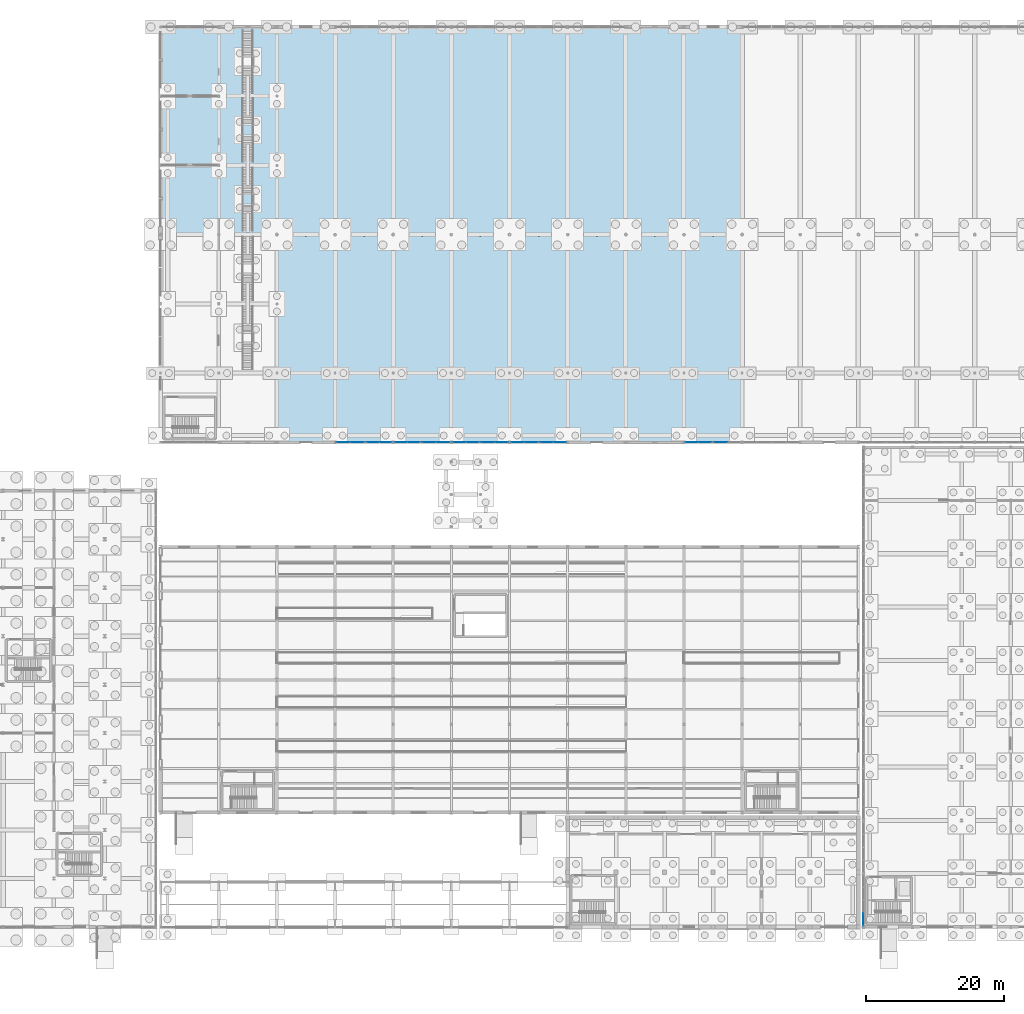
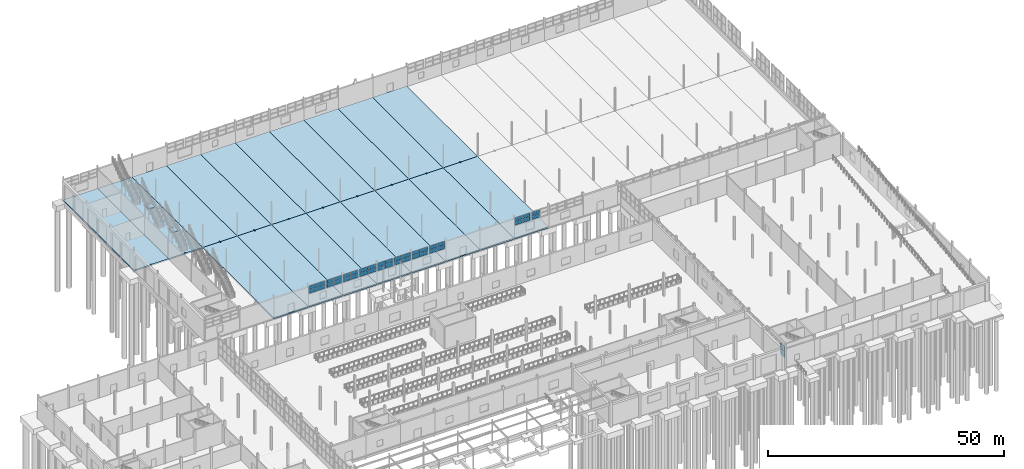
# One storey, part 106 of 139: 40 plates, 20 slabs, 13 elements without a shape of their own.
"""IFC4 building model written with IfcOpenShell, lengths in metres."""

from ifc_helpers import new_model, si_unit, direction, frame, origin, origin_2d, place, context, subcontext, project, spatial, polyline, rectangle, outline, extrude, material, layer, layer_set, type_object, element, aggregate, save


model = new_model("IFC4")

# Units and contexts
model_context = context("Model", 3, precision=1e-05, world=origin(), true_north=direction((0.0, 1.0)))
body_context = subcontext(model_context, "Body", "Model", "MODEL_VIEW")
ifc_project = project(units=[si_unit("LENGTHUNIT", "METRE"), si_unit("AREAUNIT", "SQUARE_METRE"), si_unit("VOLUMEUNIT", "CUBIC_METRE"), si_unit("PLANEANGLEUNIT", "RADIAN"), si_unit("MASSUNIT", "GRAM", prefix="KILO")], contexts=[model_context])

# Site, building, storey
site_placement = place(None, origin())
site = spatial("IfcSite", under=ifc_project, at=site_placement, CompositionType="ELEMENT")
building_placement = place(site_placement, origin())
building = spatial("IfcBuilding", under=site, at=building_placement, Name="Kazenagashi Tramway Depot", CompositionType="ELEMENT")
storey_placement = place(building_placement, origin())
storey = spatial("IfcBuildingStorey", under=building, at=storey_placement, Name="L01", CompositionType="ELEMENT", Elevation=0.0)

# Curtain wall, plates
ifc_material_1 = material(Name="Anodised Aluminium and Low-E Glazing", Category="aluminium")
curtain_wall_type_1 = type_object("IfcCurtainWallType", Name="CW-12", PredefinedType="USERDEFINED", material=ifc_material_1)
curtain_wall_1_placement = place(storey_placement, origin())
curtain_wall_1 = element("IfcCurtainWall", 1, at=curtain_wall_1_placement, inside=storey, type_object=curtain_wall_type_1, Name="Industrial Glazed Screen CW-12 CW-0034", ObjectType="GLAZED SCREEN", PredefinedType="USERDEFINED")
ifc_material_2 = material(Name="Tempered Laminated Low-E Glass", Category="glass")
ifc_layer_1 = layer(ifc_material_2, 0.018)
ifc_layer_set_1 = layer_set([ifc_layer_1], Name="Tempered Laminated Low-E Glass")
plate_type_1 = type_object("IfcPlateType", Name="GL-02", PredefinedType="CURTAIN_PANEL", material=ifc_layer_set_1)
plate_1_placement = place(storey_placement, frame((121.5175, 70.0, 3.26), z_axis=(0.0, 0.0, 1.0), x_axis=(1.0, 0.0, 0.0)))
plate_1 = element("IfcPlate", 2, at=plate_1_placement, type_object=plate_type_1, Name="CW-12 panel 1.1", PredefinedType="CURTAIN_PANEL", context=body_context, shape_type="SweptSolid", body=[
    extrude(rectangle(XDim=1.835, YDim=0.018, at=origin_2d()), origin(), (0.0, 0.0, 1.0), 0.974),
])
plate_2_placement = place(storey_placement, frame((121.5175, 70.0, 4.294), z_axis=(0.0, 0.0, 1.0), x_axis=(1.0, 0.0, 0.0)))
plate_2 = element("IfcPlate", 3, at=plate_2_placement, type_object=plate_type_1, Name="CW-12 panel 1.2", PredefinedType="CURTAIN_PANEL", context=body_context, shape_type="SweptSolid", body=[
    extrude(rectangle(XDim=1.835, YDim=0.018, at=origin_2d()), origin(), (0.0, 0.0, 1.0), 0.893),
])
plate_3_placement = place(storey_placement, frame((123.4125, 70.0, 3.26), z_axis=(0.0, 0.0, 1.0), x_axis=(1.0, 0.0, 0.0)))
plate_3 = element("IfcPlate", 4, at=plate_3_placement, type_object=plate_type_1, Name="CW-12 panel 2.1", PredefinedType="CURTAIN_PANEL", context=body_context, shape_type="SweptSolid", body=[
    extrude(rectangle(XDim=1.835, YDim=0.018, at=origin_2d()), origin(), (0.0, 0.0, 1.0), 0.974),
])
plate_4_placement = place(storey_placement, frame((123.4125, 70.0, 4.294), z_axis=(0.0, 0.0, 1.0), x_axis=(1.0, 0.0, 0.0)))
plate_4 = element("IfcPlate", 5, at=plate_4_placement, type_object=plate_type_1, Name="CW-12 panel 2.2", PredefinedType="CURTAIN_PANEL", context=body_context, shape_type="SweptSolid", body=[
    extrude(rectangle(XDim=1.835, YDim=0.018, at=origin_2d()), origin(), (0.0, 0.0, 1.0), 0.893),
])
aggregate(curtain_wall_1, [plate_1, plate_2, plate_3, plate_4])

curtain_wall_type_2 = type_object("IfcCurtainWallType", Name="CW-13", PredefinedType="USERDEFINED", material=ifc_material_1)
curtain_wall_2_placement = place(storey_placement, origin())
curtain_wall_2 = element("IfcCurtainWall", 6, at=curtain_wall_2_placement, inside=storey, type_object=curtain_wall_type_2, Name="Industrial Glazed Screen CW-13 CW-0035", ObjectType="GLAZED SCREEN", PredefinedType="USERDEFINED")
ifc_layer_2 = layer(ifc_material_2, 0.02)
ifc_layer_set_2 = layer_set([ifc_layer_2], Name="Tempered Laminated Low-E Glass")
plate_type_2 = type_object("IfcPlateType", Name="GL-03", PredefinedType="CURTAIN_PANEL", material=ifc_layer_set_2)
plate_5_placement = place(storey_placement, frame((125.6975, 70.0, 3.26), z_axis=(0.0, 0.0, 1.0), x_axis=(1.0, 0.0, 0.0)))
plate_5 = element("IfcPlate", 7, at=plate_5_placement, type_object=plate_type_2, Name="CW-13 panel 1.1", PredefinedType="CURTAIN_PANEL", context=body_context, shape_type="SweptSolid", body=[
    extrude(rectangle(XDim=1.895, YDim=0.02, at=origin_2d()), origin(), (0.0, 0.0, 1.0), 0.974),
])
plate_6_placement = place(storey_placement, frame((125.6975, 70.0, 4.294), z_axis=(0.0, 0.0, 1.0), x_axis=(1.0, 0.0, 0.0)))
plate_6 = element("IfcPlate", 8, at=plate_6_placement, type_object=plate_type_2, Name="CW-13 panel 1.2", PredefinedType="CURTAIN_PANEL", context=body_context, shape_type="SweptSolid", body=[
    extrude(rectangle(XDim=1.895, YDim=0.02, at=origin_2d()), origin(), (0.0, 0.0, 1.0), 0.893),
])
aggregate(curtain_wall_2, [plate_5, plate_6])

curtain_wall_type_3 = type_object("IfcCurtainWallType", Name="CW-10", PredefinedType="USERDEFINED", material=ifc_material_1)
curtain_wall_3_placement = place(storey_placement, origin())
curtain_wall_3 = element("IfcCurtainWall", 9, at=curtain_wall_3_placement, inside=storey, type_object=curtain_wall_type_3, Name="Industrial Glazed Screen CW-10 CW-0021", ObjectType="GLAZED SCREEN", PredefinedType="USERDEFINED")
ifc_layer_3 = layer(ifc_material_2, 0.024)
ifc_layer_set_3 = layer_set([ifc_layer_3], Name="Tempered Laminated Low-E Glass")
plate_type_3 = type_object("IfcPlateType", Name="GL-05", PredefinedType="CURTAIN_PANEL", material=ifc_layer_set_3)
plate_7_placement = place(storey_placement, frame((71.1775, 70.0, 3.26), z_axis=(0.0, 0.0, 1.0), x_axis=(1.0, 0.0, 0.0)))
plate_7 = element("IfcPlate", 10, at=plate_7_placement, type_object=plate_type_3, Name="CW-10 panel 1.1", PredefinedType="CURTAIN_PANEL", context=body_context, shape_type="SweptSolid", body=[
    extrude(rectangle(XDim=1.955, YDim=0.024, at=origin_2d()), origin(), (0.0, 0.0, 1.0), 0.974),
])
plate_8_placement = place(storey_placement, frame((71.1775, 70.0, 4.294), z_axis=(0.0, 0.0, 1.0), x_axis=(1.0, 0.0, 0.0)))
plate_8 = element("IfcPlate", 11, at=plate_8_placement, type_object=plate_type_3, Name="CW-10 panel 1.2", PredefinedType="CURTAIN_PANEL", context=body_context, shape_type="SweptSolid", body=[
    extrude(rectangle(XDim=1.955, YDim=0.024, at=origin_2d()), origin(), (0.0, 0.0, 1.0), 0.893),
])
plate_9_placement = place(storey_placement, frame((73.1925, 70.0, 3.26), z_axis=(0.0, 0.0, 1.0), x_axis=(1.0, 0.0, 0.0)))
plate_9 = element("IfcPlate", 12, at=plate_9_placement, type_object=plate_type_3, Name="CW-10 panel 2.1", PredefinedType="CURTAIN_PANEL", context=body_context, shape_type="SweptSolid", body=[
    extrude(rectangle(XDim=1.955, YDim=0.024, at=origin_2d()), origin(), (0.0, 0.0, 1.0), 0.974),
])
plate_10_placement = place(storey_placement, frame((73.1925, 70.0, 4.294), z_axis=(0.0, 0.0, 1.0), x_axis=(1.0, 0.0, 0.0)))
plate_10 = element("IfcPlate", 13, at=plate_10_placement, type_object=plate_type_3, Name="CW-10 panel 2.2", PredefinedType="CURTAIN_PANEL", context=body_context, shape_type="SweptSolid", body=[
    extrude(rectangle(XDim=1.955, YDim=0.024, at=origin_2d()), origin(), (0.0, 0.0, 1.0), 0.893),
])
aggregate(curtain_wall_3, [plate_7, plate_8, plate_9, plate_10])

curtain_wall_type_4 = type_object("IfcCurtainWallType", Name="CW-09", PredefinedType="USERDEFINED", material=ifc_material_1)
curtain_wall_4_placement = place(storey_placement, origin())
curtain_wall_4 = element("IfcCurtainWall", 14, at=curtain_wall_4_placement, inside=storey, type_object=curtain_wall_type_4, Name="Industrial Glazed Screen CW-09 CW-0022", ObjectType="GLAZED SCREEN", PredefinedType="USERDEFINED")
ifc_layer_4 = layer(ifc_material_2, 0.026)
ifc_layer_set_4 = layer_set([ifc_layer_4], Name="Tempered Laminated Low-E Glass")
plate_type_4 = type_object("IfcPlateType", Name="GL-06", PredefinedType="CURTAIN_PANEL", material=ifc_layer_set_4)
plate_11_placement = place(storey_placement, frame((75.4775, 70.0, 3.26), z_axis=(0.0, 0.0, 1.0), x_axis=(1.0, 0.0, 0.0)))
plate_11 = element("IfcPlate", 15, at=plate_11_placement, type_object=plate_type_4, Name="CW-09 panel 1.1", PredefinedType="CURTAIN_PANEL", context=body_context, shape_type="SweptSolid", body=[
    extrude(rectangle(XDim=1.775, YDim=0.026, at=origin_2d()), origin(), (0.0, 0.0, 1.0), 0.974),
])
plate_12_placement = place(storey_placement, frame((75.4775, 70.0, 4.294), z_axis=(0.0, 0.0, 1.0), x_axis=(1.0, 0.0, 0.0)))
plate_12 = element("IfcPlate", 16, at=plate_12_placement, type_object=plate_type_4, Name="CW-09 panel 1.2", PredefinedType="CURTAIN_PANEL", context=body_context, shape_type="SweptSolid", body=[
    extrude(rectangle(XDim=1.775, YDim=0.026, at=origin_2d()), origin(), (0.0, 0.0, 1.0), 0.893),
])
plate_13_placement = place(storey_placement, frame((77.3125, 70.0, 3.26), z_axis=(0.0, 0.0, 1.0), x_axis=(1.0, 0.0, 0.0)))
plate_13 = element("IfcPlate", 17, at=plate_13_placement, type_object=plate_type_4, Name="CW-09 panel 2.1", PredefinedType="CURTAIN_PANEL", context=body_context, shape_type="SweptSolid", body=[
    extrude(rectangle(XDim=1.775, YDim=0.026, at=origin_2d()), origin(), (0.0, 0.0, 1.0), 0.974),
])
plate_14_placement = place(storey_placement, frame((77.3125, 70.0, 4.294), z_axis=(0.0, 0.0, 1.0), x_axis=(1.0, 0.0, 0.0)))
plate_14 = element("IfcPlate", 18, at=plate_14_placement, type_object=plate_type_4, Name="CW-09 panel 2.2", PredefinedType="CURTAIN_PANEL", context=body_context, shape_type="SweptSolid", body=[
    extrude(rectangle(XDim=1.775, YDim=0.026, at=origin_2d()), origin(), (0.0, 0.0, 1.0), 0.893),
])
aggregate(curtain_wall_4, [plate_11, plate_12, plate_13, plate_14])

curtain_wall_5_placement = place(storey_placement, origin())
curtain_wall_5 = element("IfcCurtainWall", 19, at=curtain_wall_5_placement, inside=storey, type_object=curtain_wall_type_4, Name="Industrial Glazed Screen CW-09 CW-0024", ObjectType="GLAZED SCREEN", PredefinedType="USERDEFINED")
ifc_layer_5 = layer(ifc_material_2, 0.03)
ifc_layer_set_5 = layer_set([ifc_layer_5], Name="Tempered Laminated Low-E Glass")
plate_type_5 = type_object("IfcPlateType", Name="GL-08", PredefinedType="CURTAIN_PANEL", material=ifc_layer_set_5)
plate_15_placement = place(storey_placement, frame((79.4875, 70.0, 3.26), z_axis=(0.0, 0.0, 1.0), x_axis=(1.0, 0.0, 0.0)))
plate_15 = element("IfcPlate", 20, at=plate_15_placement, type_object=plate_type_5, Name="CW-09 panel 1.1", PredefinedType="CURTAIN_PANEL", context=body_context, shape_type="SweptSolid", body=[
    extrude(rectangle(XDim=1.775, YDim=0.03, at=origin_2d()), origin(), (0.0, 0.0, 1.0), 0.974),
])
plate_16_placement = place(storey_placement, frame((79.4875, 70.0, 4.294), z_axis=(0.0, 0.0, 1.0), x_axis=(1.0, 0.0, 0.0)))
plate_16 = element("IfcPlate", 21, at=plate_16_placement, type_object=plate_type_5, Name="CW-09 panel 1.2", PredefinedType="CURTAIN_PANEL", context=body_context, shape_type="SweptSolid", body=[
    extrude(rectangle(XDim=1.775, YDim=0.03, at=origin_2d()), origin(), (0.0, 0.0, 1.0), 0.893),
])
plate_17_placement = place(storey_placement, frame((81.3225, 70.0, 3.26), z_axis=(0.0, 0.0, 1.0), x_axis=(1.0, 0.0, 0.0)))
plate_17 = element("IfcPlate", 22, at=plate_17_placement, type_object=plate_type_5, Name="CW-09 panel 2.1", PredefinedType="CURTAIN_PANEL", context=body_context, shape_type="SweptSolid", body=[
    extrude(rectangle(XDim=1.775, YDim=0.03, at=origin_2d()), origin(), (0.0, 0.0, 1.0), 0.974),
])
plate_18_placement = place(storey_placement, frame((81.3225, 70.0, 4.294), z_axis=(0.0, 0.0, 1.0), x_axis=(1.0, 0.0, 0.0)))
plate_18 = element("IfcPlate", 23, at=plate_18_placement, type_object=plate_type_5, Name="CW-09 panel 2.2", PredefinedType="CURTAIN_PANEL", context=body_context, shape_type="SweptSolid", body=[
    extrude(rectangle(XDim=1.775, YDim=0.03, at=origin_2d()), origin(), (0.0, 0.0, 1.0), 0.893),
])
aggregate(curtain_wall_5, [plate_15, plate_16, plate_17, plate_18])

curtain_wall_6_placement = place(storey_placement, origin())
curtain_wall_6 = element("IfcCurtainWall", 24, at=curtain_wall_6_placement, inside=storey, type_object=curtain_wall_type_3, Name="Industrial Glazed Screen CW-10 CW-0025", ObjectType="GLAZED SCREEN", PredefinedType="USERDEFINED")
ifc_layer_6 = layer(ifc_material_2, 0.032)
ifc_layer_set_6 = layer_set([ifc_layer_6], Name="Tempered Laminated Low-E Glass")
plate_type_6 = type_object("IfcPlateType", Name="GL-09", PredefinedType="CURTAIN_PANEL", material=ifc_layer_set_6)
plate_19_placement = place(storey_placement, frame((83.6075, 70.0, 3.26), z_axis=(0.0, 0.0, 1.0), x_axis=(1.0, 0.0, 0.0)))
plate_19 = element("IfcPlate", 25, at=plate_19_placement, type_object=plate_type_6, Name="CW-10 panel 1.1", PredefinedType="CURTAIN_PANEL", context=body_context, shape_type="SweptSolid", body=[
    extrude(rectangle(XDim=1.955, YDim=0.032, at=origin_2d()), origin(), (0.0, 0.0, 1.0), 0.974),
])
plate_20_placement = place(storey_placement, frame((83.6075, 70.0, 4.294), z_axis=(0.0, 0.0, 1.0), x_axis=(1.0, 0.0, 0.0)))
plate_20 = element("IfcPlate", 26, at=plate_20_placement, type_object=plate_type_6, Name="CW-10 panel 1.2", PredefinedType="CURTAIN_PANEL", context=body_context, shape_type="SweptSolid", body=[
    extrude(rectangle(XDim=1.955, YDim=0.032, at=origin_2d()), origin(), (0.0, 0.0, 1.0), 0.893),
])
plate_21_placement = place(storey_placement, frame((85.6225, 70.0, 3.26), z_axis=(0.0, 0.0, 1.0), x_axis=(1.0, 0.0, 0.0)))
plate_21 = element("IfcPlate", 27, at=plate_21_placement, type_object=plate_type_6, Name="CW-10 panel 2.1", PredefinedType="CURTAIN_PANEL", context=body_context, shape_type="SweptSolid", body=[
    extrude(rectangle(XDim=1.955, YDim=0.032, at=origin_2d()), origin(), (0.0, 0.0, 1.0), 0.974),
])
plate_22_placement = place(storey_placement, frame((85.6225, 70.0, 4.294), z_axis=(0.0, 0.0, 1.0), x_axis=(1.0, 0.0, 0.0)))
plate_22 = element("IfcPlate", 28, at=plate_22_placement, type_object=plate_type_6, Name="CW-10 panel 2.2", PredefinedType="CURTAIN_PANEL", context=body_context, shape_type="SweptSolid", body=[
    extrude(rectangle(XDim=1.955, YDim=0.032, at=origin_2d()), origin(), (0.0, 0.0, 1.0), 0.893),
])
aggregate(curtain_wall_6, [plate_19, plate_20, plate_21, plate_22])

curtain_wall_7_placement = place(storey_placement, origin())
curtain_wall_7 = element("IfcCurtainWall", 29, at=curtain_wall_7_placement, inside=storey, type_object=curtain_wall_type_1, Name="Industrial Glazed Screen CW-12 CW-0027", ObjectType="GLAZED SCREEN", PredefinedType="USERDEFINED")
ifc_layer_7 = layer(ifc_material_2, 0.036)
ifc_layer_set_7 = layer_set([ifc_layer_7], Name="Tempered Laminated Low-E Glass")
plate_type_7 = type_object("IfcPlateType", Name="GL-11", PredefinedType="CURTAIN_PANEL", material=ifc_layer_set_7)
plate_23_placement = place(storey_placement, frame((87.9175, 70.0, 3.26), z_axis=(0.0, 0.0, 1.0), x_axis=(1.0, 0.0, 0.0)))
plate_23 = element("IfcPlate", 30, at=plate_23_placement, type_object=plate_type_7, Name="CW-12 panel 1.1", PredefinedType="CURTAIN_PANEL", context=body_context, shape_type="SweptSolid", body=[
    extrude(rectangle(XDim=1.835, YDim=0.036, at=origin_2d()), origin(), (0.0, 0.0, 1.0), 0.974),
])
plate_24_placement = place(storey_placement, frame((87.9175, 70.0, 4.294), z_axis=(0.0, 0.0, 1.0), x_axis=(1.0, 0.0, 0.0)))
plate_24 = element("IfcPlate", 31, at=plate_24_placement, type_object=plate_type_7, Name="CW-12 panel 1.2", PredefinedType="CURTAIN_PANEL", context=body_context, shape_type="SweptSolid", body=[
    extrude(rectangle(XDim=1.835, YDim=0.036, at=origin_2d()), origin(), (0.0, 0.0, 1.0), 0.893),
])
plate_25_placement = place(storey_placement, frame((89.8125, 70.0, 3.26), z_axis=(0.0, 0.0, 1.0), x_axis=(1.0, 0.0, 0.0)))
plate_25 = element("IfcPlate", 32, at=plate_25_placement, type_object=plate_type_7, Name="CW-12 panel 2.1", PredefinedType="CURTAIN_PANEL", context=body_context, shape_type="SweptSolid", body=[
    extrude(rectangle(XDim=1.835, YDim=0.036, at=origin_2d()), origin(), (0.0, 0.0, 1.0), 0.974),
])
plate_26_placement = place(storey_placement, frame((89.8125, 70.0, 4.294), z_axis=(0.0, 0.0, 1.0), x_axis=(1.0, 0.0, 0.0)))
plate_26 = element("IfcPlate", 33, at=plate_26_placement, type_object=plate_type_7, Name="CW-12 panel 2.2", PredefinedType="CURTAIN_PANEL", context=body_context, shape_type="SweptSolid", body=[
    extrude(rectangle(XDim=1.835, YDim=0.036, at=origin_2d()), origin(), (0.0, 0.0, 1.0), 0.893),
])
aggregate(curtain_wall_7, [plate_23, plate_24, plate_25, plate_26])

curtain_wall_8_placement = place(storey_placement, origin())
curtain_wall_8 = element("IfcCurtainWall", 34, at=curtain_wall_8_placement, inside=storey, type_object=curtain_wall_type_2, Name="Industrial Glazed Screen CW-13 CW-0028", ObjectType="GLAZED SCREEN", PredefinedType="USERDEFINED")
ifc_layer_8 = layer(ifc_material_2, 0.038)
ifc_layer_set_8 = layer_set([ifc_layer_8], Name="Tempered Laminated Low-E Glass")
plate_type_8 = type_object("IfcPlateType", Name="GL-12", PredefinedType="CURTAIN_PANEL", material=ifc_layer_set_8)
plate_27_placement = place(storey_placement, frame((92.0975, 70.0, 3.26), z_axis=(0.0, 0.0, 1.0), x_axis=(1.0, 0.0, 0.0)))
plate_27 = element("IfcPlate", 35, at=plate_27_placement, type_object=plate_type_8, Name="CW-13 panel 1.1", PredefinedType="CURTAIN_PANEL", context=body_context, shape_type="SweptSolid", body=[
    extrude(rectangle(XDim=1.895, YDim=0.038, at=origin_2d()), origin(), (0.0, 0.0, 1.0), 0.974),
])
plate_28_placement = place(storey_placement, frame((92.0975, 70.0, 4.294), z_axis=(0.0, 0.0, 1.0), x_axis=(1.0, 0.0, 0.0)))
plate_28 = element("IfcPlate", 36, at=plate_28_placement, type_object=plate_type_8, Name="CW-13 panel 1.2", PredefinedType="CURTAIN_PANEL", context=body_context, shape_type="SweptSolid", body=[
    extrude(rectangle(XDim=1.895, YDim=0.038, at=origin_2d()), origin(), (0.0, 0.0, 1.0), 0.893),
])
plate_29_placement = place(storey_placement, frame((94.0525, 70.0, 3.26), z_axis=(0.0, 0.0, 1.0), x_axis=(1.0, 0.0, 0.0)))
plate_29 = element("IfcPlate", 37, at=plate_29_placement, type_object=plate_type_8, Name="CW-13 panel 2.1", PredefinedType="CURTAIN_PANEL", context=body_context, shape_type="SweptSolid", body=[
    extrude(rectangle(XDim=1.895, YDim=0.038, at=origin_2d()), origin(), (0.0, 0.0, 1.0), 0.974),
])
plate_30_placement = place(storey_placement, frame((94.0525, 70.0, 4.294), z_axis=(0.0, 0.0, 1.0), x_axis=(1.0, 0.0, 0.0)))
plate_30 = element("IfcPlate", 38, at=plate_30_placement, type_object=plate_type_8, Name="CW-13 panel 2.2", PredefinedType="CURTAIN_PANEL", context=body_context, shape_type="SweptSolid", body=[
    extrude(rectangle(XDim=1.895, YDim=0.038, at=origin_2d()), origin(), (0.0, 0.0, 1.0), 0.893),
])
aggregate(curtain_wall_8, [plate_27, plate_28, plate_29, plate_30])

curtain_wall_type_5 = type_object("IfcCurtainWallType", Name="CW-30", PredefinedType="USERDEFINED", material=ifc_material_1)
curtain_wall_9_placement = place(storey_placement, origin())
curtain_wall_9 = element("IfcCurtainWall", 39, at=curtain_wall_9_placement, inside=storey, type_object=curtain_wall_type_5, Name="Industrial Glazed Screen CW-30 CW-0157", ObjectType="GLAZED SCREEN", PredefinedType="USERDEFINED")
ifc_layer_9 = layer(ifc_material_2, 0.04)
ifc_layer_set_9 = layer_set([ifc_layer_9], Name="Tempered Laminated Low-E Glass")
plate_type_9 = type_object("IfcPlateType", Name="GL-13", PredefinedType="CURTAIN_PANEL", material=ifc_layer_set_9)
plate_31_placement = place(storey_placement, frame((146.3, 1.0825, 2.26), z_axis=(0.0, 0.0, 1.0), x_axis=(0.0, 1.0, 0.0)))
plate_31 = element("IfcPlate", 40, at=plate_31_placement, type_object=plate_type_9, Name="CW-30 panel 1.1", PredefinedType="CURTAIN_PANEL", context=body_context, shape_type="SweptSolid", body=[
    extrude(rectangle(XDim=1.765, YDim=0.04, at=origin_2d()), origin(), (0.0, 0.0, 1.0), 1.532),
])
plate_32_placement = place(storey_placement, frame((146.3, 1.0825, 3.852), z_axis=(0.0, 0.0, 1.0), x_axis=(0.0, 1.0, 0.0)))
plate_32 = element("IfcPlate", 41, at=plate_32_placement, type_object=plate_type_9, Name="CW-30 panel 1.2", PredefinedType="CURTAIN_PANEL", context=body_context, shape_type="SweptSolid", body=[
    extrude(rectangle(XDim=1.765, YDim=0.04, at=origin_2d()), origin(), (0.0, 0.0, 1.0), 1.408),
])
aggregate(curtain_wall_9, [plate_31, plate_32])

curtain_wall_10_placement = place(storey_placement, origin())
curtain_wall_10 = element("IfcCurtainWall", 42, at=curtain_wall_10_placement, inside=storey, type_object=curtain_wall_type_2, Name="Industrial Glazed Screen CW-13 CW-0030", ObjectType="GLAZED SCREEN", PredefinedType="USERDEFINED")
ifc_layer_10 = layer(ifc_material_2, 0.042)
ifc_layer_set_10 = layer_set([ifc_layer_10], Name="Tempered Laminated Low-E Glass")
plate_type_10 = type_object("IfcPlateType", Name="GL-14", PredefinedType="CURTAIN_PANEL", material=ifc_layer_set_10)
plate_33_placement = place(storey_placement, frame((96.3475, 70.0, 3.26), z_axis=(0.0, 0.0, 1.0), x_axis=(1.0, 0.0, 0.0)))
plate_33 = element("IfcPlate", 43, at=plate_33_placement, type_object=plate_type_10, Name="CW-13 panel 1.1", PredefinedType="CURTAIN_PANEL", context=body_context, shape_type="SweptSolid", body=[
    extrude(rectangle(XDim=1.895, YDim=0.042, at=origin_2d()), origin(), (0.0, 0.0, 1.0), 0.974),
])
plate_34_placement = place(storey_placement, frame((96.3475, 70.0, 4.294), z_axis=(0.0, 0.0, 1.0), x_axis=(1.0, 0.0, 0.0)))
plate_34 = element("IfcPlate", 44, at=plate_34_placement, type_object=plate_type_10, Name="CW-13 panel 1.2", PredefinedType="CURTAIN_PANEL", context=body_context, shape_type="SweptSolid", body=[
    extrude(rectangle(XDim=1.895, YDim=0.042, at=origin_2d()), origin(), (0.0, 0.0, 1.0), 0.893),
])
plate_35_placement = place(storey_placement, frame((98.3025, 70.0, 3.26), z_axis=(0.0, 0.0, 1.0), x_axis=(1.0, 0.0, 0.0)))
plate_35 = element("IfcPlate", 45, at=plate_35_placement, type_object=plate_type_10, Name="CW-13 panel 2.1", PredefinedType="CURTAIN_PANEL", context=body_context, shape_type="SweptSolid", body=[
    extrude(rectangle(XDim=1.895, YDim=0.042, at=origin_2d()), origin(), (0.0, 0.0, 1.0), 0.974),
])
plate_36_placement = place(storey_placement, frame((98.3025, 70.0, 4.294), z_axis=(0.0, 0.0, 1.0), x_axis=(1.0, 0.0, 0.0)))
plate_36 = element("IfcPlate", 46, at=plate_36_placement, type_object=plate_type_10, Name="CW-13 panel 2.2", PredefinedType="CURTAIN_PANEL", context=body_context, shape_type="SweptSolid", body=[
    extrude(rectangle(XDim=1.895, YDim=0.042, at=origin_2d()), origin(), (0.0, 0.0, 1.0), 0.893),
])
aggregate(curtain_wall_10, [plate_33, plate_34, plate_35, plate_36])

curtain_wall_11_placement = place(storey_placement, origin())
curtain_wall_11 = element("IfcCurtainWall", 47, at=curtain_wall_11_placement, inside=storey, type_object=curtain_wall_type_1, Name="Industrial Glazed Screen CW-12 CW-0031", ObjectType="GLAZED SCREEN", PredefinedType="USERDEFINED")
ifc_layer_11 = layer(ifc_material_2, 0.044)
ifc_layer_set_11 = layer_set([ifc_layer_11], Name="Tempered Laminated Low-E Glass")
plate_type_11 = type_object("IfcPlateType", Name="GL-15", PredefinedType="CURTAIN_PANEL", material=ifc_layer_set_11)
plate_37_placement = place(storey_placement, frame((100.5875, 70.0, 3.26), z_axis=(0.0, 0.0, 1.0), x_axis=(1.0, 0.0, 0.0)))
plate_37 = element("IfcPlate", 48, at=plate_37_placement, type_object=plate_type_11, Name="CW-12 panel 1.1", PredefinedType="CURTAIN_PANEL", context=body_context, shape_type="SweptSolid", body=[
    extrude(rectangle(XDim=1.835, YDim=0.044, at=origin_2d()), origin(), (0.0, 0.0, 1.0), 0.974),
])
plate_38_placement = place(storey_placement, frame((100.5875, 70.0, 4.294), z_axis=(0.0, 0.0, 1.0), x_axis=(1.0, 0.0, 0.0)))
plate_38 = element("IfcPlate", 49, at=plate_38_placement, type_object=plate_type_11, Name="CW-12 panel 1.2", PredefinedType="CURTAIN_PANEL", context=body_context, shape_type="SweptSolid", body=[
    extrude(rectangle(XDim=1.835, YDim=0.044, at=origin_2d()), origin(), (0.0, 0.0, 1.0), 0.893),
])
plate_39_placement = place(storey_placement, frame((102.4825, 70.0, 3.26), z_axis=(0.0, 0.0, 1.0), x_axis=(1.0, 0.0, 0.0)))
plate_39 = element("IfcPlate", 50, at=plate_39_placement, type_object=plate_type_11, Name="CW-12 panel 2.1", PredefinedType="CURTAIN_PANEL", context=body_context, shape_type="SweptSolid", body=[
    extrude(rectangle(XDim=1.835, YDim=0.044, at=origin_2d()), origin(), (0.0, 0.0, 1.0), 0.974),
])
plate_40_placement = place(storey_placement, frame((102.4825, 70.0, 4.294), z_axis=(0.0, 0.0, 1.0), x_axis=(1.0, 0.0, 0.0)))
plate_40 = element("IfcPlate", 51, at=plate_40_placement, type_object=plate_type_11, Name="CW-12 panel 2.2", PredefinedType="CURTAIN_PANEL", context=body_context, shape_type="SweptSolid", body=[
    extrude(rectangle(XDim=1.835, YDim=0.044, at=origin_2d()), origin(), (0.0, 0.0, 1.0), 0.893),
])
aggregate(curtain_wall_11, [plate_37, plate_38, plate_39, plate_40])

# Slabs
ifc_material_3 = material(Name="Concrete Fc36", Category="concrete")
ifc_layer_12 = layer(ifc_material_3, 0.35)
ifc_layer_set_12 = layer_set([ifc_layer_12], Name="Concrete Fc36")
slab_type_1 = type_object("IfcSlabType", Name="SL-01", PredefinedType="BASESLAB", material=ifc_layer_set_12)
slab_1_placement = place(storey_placement, frame((0.0, 0.0, -0.35)))
element("IfcSlab", 52, at=slab_1_placement, inside=storey, type_object=slab_type_1, Name="Stabling Track Slab Bay 1B SLAB-010", PredefinedType="BASESLAB", context=body_context, shape_type="SweptSolid", body=[
    extrude(outline(polyline([(44.8, 100.0), (53.2, 100.0), (53.2, 130.0), (44.8, 130.0), (44.8, 100.0)]), holes=[polyline([(48.89, 100.04), (49.11, 100.04), (49.11, 100.26), (48.89, 100.26), (48.89, 100.04)])]), origin(), (0.0, 0.0, 1.0), 0.35),
])
slab_2_placement = place(storey_placement, frame((0.0, 0.0, -0.35)))
element("IfcSlab", 53, at=slab_2_placement, inside=storey, type_object=slab_type_1, Name="Stabling Track Slab Bay 3A SLAB-013", PredefinedType="BASESLAB", context=body_context, shape_type="SweptSolid", body=[
    extrude(outline(polyline([(61.6, 70.0), (70.0, 70.0), (70.0, 100.0), (61.6, 100.0), (61.6, 70.0)]), holes=[polyline([(65.69, 99.74), (65.91, 99.74), (65.91, 99.96), (65.69, 99.96), (65.69, 99.74)])]), origin(), (0.0, 0.0, 1.0), 0.35),
])
slab_3_placement = place(storey_placement, frame((0.0, 0.0, -0.35)))
element("IfcSlab", 54, at=slab_3_placement, inside=storey, type_object=slab_type_1, Name="Stabling Track Slab Bay 3B SLAB-014", PredefinedType="BASESLAB", context=body_context, shape_type="SweptSolid", body=[
    extrude(outline(polyline([(61.6, 100.0), (70.0, 100.0), (70.0, 130.0), (61.6, 130.0), (61.6, 100.0)]), holes=[polyline([(65.69, 100.04), (65.91, 100.04), (65.91, 100.26), (65.69, 100.26), (65.69, 100.04)])]), origin(), (0.0, 0.0, 1.0), 0.35),
])
slab_4_placement = place(storey_placement, frame((0.0, 0.0, -0.35)))
element("IfcSlab", 55, at=slab_4_placement, inside=storey, type_object=slab_type_1, Name="Stabling Track Slab Bay 5A SLAB-017", PredefinedType="BASESLAB", context=body_context, shape_type="SweptSolid", body=[
    extrude(outline(polyline([(78.4, 70.0), (86.8, 70.0), (86.8, 100.0), (78.4, 100.0), (78.4, 70.0)]), holes=[polyline([(82.49, 99.74), (82.71, 99.74), (82.71, 99.96), (82.49, 99.96), (82.49, 99.74)])]), origin(), (0.0, 0.0, 1.0), 0.35),
])
slab_5_placement = place(storey_placement, frame((0.0, 0.0, -0.35)))
element("IfcSlab", 56, at=slab_5_placement, inside=storey, type_object=slab_type_1, Name="Stabling Track Slab Bay 5B SLAB-018", PredefinedType="BASESLAB", context=body_context, shape_type="SweptSolid", body=[
    extrude(outline(polyline([(78.4, 100.0), (86.8, 100.0), (86.8, 130.0), (78.4, 130.0), (78.4, 100.0)]), holes=[polyline([(82.49, 100.04), (82.71, 100.04), (82.71, 100.26), (82.49, 100.26), (82.49, 100.04)])]), origin(), (0.0, 0.0, 1.0), 0.35),
])
slab_6_placement = place(storey_placement, frame((0.0, 0.0, -0.35)))
element("IfcSlab", 57, at=slab_6_placement, inside=storey, type_object=slab_type_1, Name="Stabling Track Slab Bay 7A SLAB-021", PredefinedType="BASESLAB", context=body_context, shape_type="SweptSolid", body=[
    extrude(outline(polyline([(95.2, 70.0), (103.6, 70.0), (103.6, 100.0), (95.2, 100.0), (95.2, 70.0)]), holes=[polyline([(99.29, 99.74), (99.51, 99.74), (99.51, 99.96), (99.29, 99.96), (99.29, 99.74)])]), origin(), (0.0, 0.0, 1.0), 0.35),
])
slab_7_placement = place(storey_placement, frame((0.0, 0.0, -0.35)))
element("IfcSlab", 58, at=slab_7_placement, inside=storey, type_object=slab_type_1, Name="Stabling Track Slab Bay 7B SLAB-022", PredefinedType="BASESLAB", context=body_context, shape_type="SweptSolid", body=[
    extrude(outline(polyline([(95.2, 100.0), (103.6, 100.0), (103.6, 130.0), (95.2, 130.0), (95.2, 100.0)]), holes=[polyline([(99.29, 100.04), (99.51, 100.04), (99.51, 100.26), (99.29, 100.26), (99.29, 100.04)])]), origin(), (0.0, 0.0, 1.0), 0.35),
])
slab_8_placement = place(storey_placement, frame((0.0, 0.0, -0.35)))
element("IfcSlab", 59, at=slab_8_placement, inside=storey, type_object=slab_type_1, Name="Stabling Track Slab Bay 9A SLAB-025", PredefinedType="BASESLAB", context=body_context, shape_type="SweptSolid", body=[
    extrude(outline(polyline([(112.0, 70.0), (120.4, 70.0), (120.4, 100.0), (112.0, 100.0), (112.0, 70.0)]), holes=[polyline([(116.09, 99.74), (116.31, 99.74), (116.31, 99.96), (116.09, 99.96), (116.09, 99.74)])]), origin(), (0.0, 0.0, 1.0), 0.35),
])
slab_9_placement = place(storey_placement, frame((0.0, 0.0, -0.35)))
element("IfcSlab", 60, at=slab_9_placement, inside=storey, type_object=slab_type_1, Name="Stabling Track Slab Bay 9B SLAB-026", PredefinedType="BASESLAB", context=body_context, shape_type="SweptSolid", body=[
    extrude(outline(polyline([(112.0, 100.0), (120.4, 100.0), (120.4, 130.0), (112.0, 130.0), (112.0, 100.0)]), holes=[polyline([(116.09, 100.04), (116.31, 100.04), (116.31, 100.26), (116.09, 100.26), (116.09, 100.04)])]), origin(), (0.0, 0.0, 1.0), 0.35),
])
ifc_layer_13 = layer(ifc_material_3, 0.325)
ifc_layer_set_13 = layer_set([ifc_layer_13], Name="Concrete Fc36")
slab_type_2 = type_object("IfcSlabType", Name="SL-02", PredefinedType="BASESLAB", material=ifc_layer_set_13)
slab_10_placement = place(storey_placement, frame((0.0, 0.0, -0.325)))
element("IfcSlab", 61, at=slab_10_placement, inside=storey, type_object=slab_type_2, Name="Stabling Track Slab Bay 2B SLAB-012", PredefinedType="BASESLAB", context=body_context, shape_type="SweptSolid", body=[
    extrude(outline(polyline([(53.2, 100.0), (61.6, 100.0), (61.6, 130.0), (53.2, 130.0), (53.2, 100.0)]), holes=[polyline([(57.29, 100.04), (57.51, 100.04), (57.51, 100.26), (57.29, 100.26), (57.29, 100.04)])]), origin(), (0.0, 0.0, 1.0), 0.325),
])
slab_11_placement = place(storey_placement, frame((0.0, 0.0, -0.325)))
element("IfcSlab", 62, at=slab_11_placement, inside=storey, type_object=slab_type_2, Name="Stabling Track Slab Bay 4A SLAB-015", PredefinedType="BASESLAB", context=body_context, shape_type="SweptSolid", body=[
    extrude(outline(polyline([(70.0, 70.0), (78.4, 70.0), (78.4, 100.0), (70.0, 100.0), (70.0, 70.0)]), holes=[polyline([(74.09, 99.74), (74.31, 99.74), (74.31, 99.96), (74.09, 99.96), (74.09, 99.74)])]), origin(), (0.0, 0.0, 1.0), 0.325),
])
slab_12_placement = place(storey_placement, frame((0.0, 0.0, -0.325)))
element("IfcSlab", 63, at=slab_12_placement, inside=storey, type_object=slab_type_2, Name="Stabling Track Slab Bay 4B SLAB-016", PredefinedType="BASESLAB", context=body_context, shape_type="SweptSolid", body=[
    extrude(outline(polyline([(70.0, 100.0), (78.4, 100.0), (78.4, 130.0), (70.0, 130.0), (70.0, 100.0)]), holes=[polyline([(74.09, 100.04), (74.31, 100.04), (74.31, 100.26), (74.09, 100.26), (74.09, 100.04)])]), origin(), (0.0, 0.0, 1.0), 0.325),
])
slab_13_placement = place(storey_placement, frame((0.0, 0.0, -0.325)))
element("IfcSlab", 64, at=slab_13_placement, inside=storey, type_object=slab_type_2, Name="Stabling Track Slab Bay 6A SLAB-019", PredefinedType="BASESLAB", context=body_context, shape_type="SweptSolid", body=[
    extrude(outline(polyline([(86.8, 70.0), (95.2, 70.0), (95.2, 100.0), (86.8, 100.0), (86.8, 70.0)]), holes=[polyline([(90.89, 99.74), (91.11, 99.74), (91.11, 99.96), (90.89, 99.96), (90.89, 99.74)])]), origin(), (0.0, 0.0, 1.0), 0.325),
])
slab_14_placement = place(storey_placement, frame((0.0, 0.0, -0.325)))
element("IfcSlab", 65, at=slab_14_placement, inside=storey, type_object=slab_type_2, Name="Stabling Track Slab Bay 6B SLAB-020", PredefinedType="BASESLAB", context=body_context, shape_type="SweptSolid", body=[
    extrude(outline(polyline([(86.8, 100.0), (95.2, 100.0), (95.2, 130.0), (86.8, 130.0), (86.8, 100.0)]), holes=[polyline([(90.89, 100.04), (91.11, 100.04), (91.11, 100.26), (90.89, 100.26), (90.89, 100.04)])]), origin(), (0.0, 0.0, 1.0), 0.325),
])
slab_15_placement = place(storey_placement, frame((0.0, 0.0, -0.325)))
element("IfcSlab", 66, at=slab_15_placement, inside=storey, type_object=slab_type_2, Name="Stabling Track Slab Bay 8A SLAB-023", PredefinedType="BASESLAB", context=body_context, shape_type="SweptSolid", body=[
    extrude(outline(polyline([(103.6, 70.0), (112.0, 70.0), (112.0, 100.0), (103.6, 100.0), (103.6, 70.0)]), holes=[polyline([(107.69, 99.74), (107.91, 99.74), (107.91, 99.96), (107.69, 99.96), (107.69, 99.74)])]), origin(), (0.0, 0.0, 1.0), 0.325),
])
slab_16_placement = place(storey_placement, frame((0.0, 0.0, -0.325)))
element("IfcSlab", 67, at=slab_16_placement, inside=storey, type_object=slab_type_2, Name="Stabling Track Slab Bay 8B SLAB-024", PredefinedType="BASESLAB", context=body_context, shape_type="SweptSolid", body=[
    extrude(outline(polyline([(103.6, 100.0), (112.0, 100.0), (112.0, 130.0), (103.6, 130.0), (103.6, 100.0)]), holes=[polyline([(107.69, 100.04), (107.91, 100.04), (107.91, 100.26), (107.69, 100.26), (107.69, 100.04)])]), origin(), (0.0, 0.0, 1.0), 0.325),
])
slab_17_placement = place(storey_placement, frame((0.0, 0.0, -0.325)))
element("IfcSlab", 68, at=slab_17_placement, inside=storey, type_object=slab_type_2, Name="Stabling Track Slab Bay 10A SLAB-027", PredefinedType="BASESLAB", context=body_context, shape_type="SweptSolid", body=[
    extrude(outline(polyline([(120.4, 70.0), (128.8, 70.0), (128.8, 100.0), (120.4, 100.0), (120.4, 70.0)]), holes=[polyline([(124.49, 99.74), (124.71, 99.74), (124.71, 99.96), (124.49, 99.96), (124.49, 99.74)])]), origin(), (0.0, 0.0, 1.0), 0.325),
])
slab_18_placement = place(storey_placement, frame((0.0, 0.0, -0.325)))
element("IfcSlab", 69, at=slab_18_placement, inside=storey, type_object=slab_type_2, Name="Stabling Track Slab Bay 10B SLAB-028", PredefinedType="BASESLAB", context=body_context, shape_type="SweptSolid", body=[
    extrude(outline(polyline([(120.4, 100.0), (128.8, 100.0), (128.8, 130.0), (120.4, 130.0), (120.4, 100.0)]), holes=[polyline([(124.49, 100.04), (124.71, 100.04), (124.71, 100.26), (124.49, 100.26), (124.49, 100.04)])]), origin(), (0.0, 0.0, 1.0), 0.325),
])

# Stair, slab
stair_type_1 = type_object("IfcStairType", Name="ST-S1", PredefinedType="STRAIGHT_RUN_STAIR", material=ifc_material_3)
stair_1_placement = place(storey_placement, origin())
stair_1 = element("IfcStair", 70, at=stair_1_placement, inside=storey, type_object=stair_type_1, Name="Straight Run Stair ST-31", PredefinedType="STRAIGHT_RUN_STAIR")
ifc_layer_14 = layer(ifc_material_3, 0.195)
ifc_layer_set_14 = layer_set([ifc_layer_14], Name="Concrete Fc36")
slab_type_3 = type_object("IfcSlabType", Name="SL-LD1", PredefinedType="LANDING", material=ifc_layer_set_14)
slab_19_placement = place(storey_placement, frame((0.0, 0.0, 2.805)))
slab_19 = element("IfcSlab", 71, at=slab_19_placement, type_object=slab_type_3, Name="ST-31 landing 1", PredefinedType="LANDING", context=body_context, shape_type="SweptSolid", body=[
    extrude(outline(polyline([(56.65, 104.28), (58.15, 104.28), (58.15, 105.93), (56.65, 105.93), (56.65, 104.28)])), origin(), (0.0, 0.0, 1.0), 0.195),
])
aggregate(stair_1, [slab_19])

stair_type_2 = type_object("IfcStairType", Name="ST-S2", PredefinedType="STRAIGHT_RUN_STAIR", material=ifc_material_3)
stair_2_placement = place(storey_placement, origin())
stair_2 = element("IfcStair", 72, at=stair_2_placement, inside=storey, type_object=stair_type_2, Name="Straight Run Stair ST-32", PredefinedType="STRAIGHT_RUN_STAIR")
slab_20_placement = place(storey_placement, frame((0.0, 0.0, 2.805)))
slab_20 = element("IfcSlab", 73, at=slab_20_placement, type_object=slab_type_3, Name="ST-32 landing 1", PredefinedType="LANDING", context=body_context, shape_type="SweptSolid", body=[
    extrude(outline(polyline([(56.625, 114.28), (58.175, 114.28), (58.175, 115.93), (56.625, 115.93), (56.625, 114.28)])), origin(), (0.0, 0.0, 1.0), 0.195),
])
aggregate(stair_2, [slab_20])

save(model, "model.ifc")
